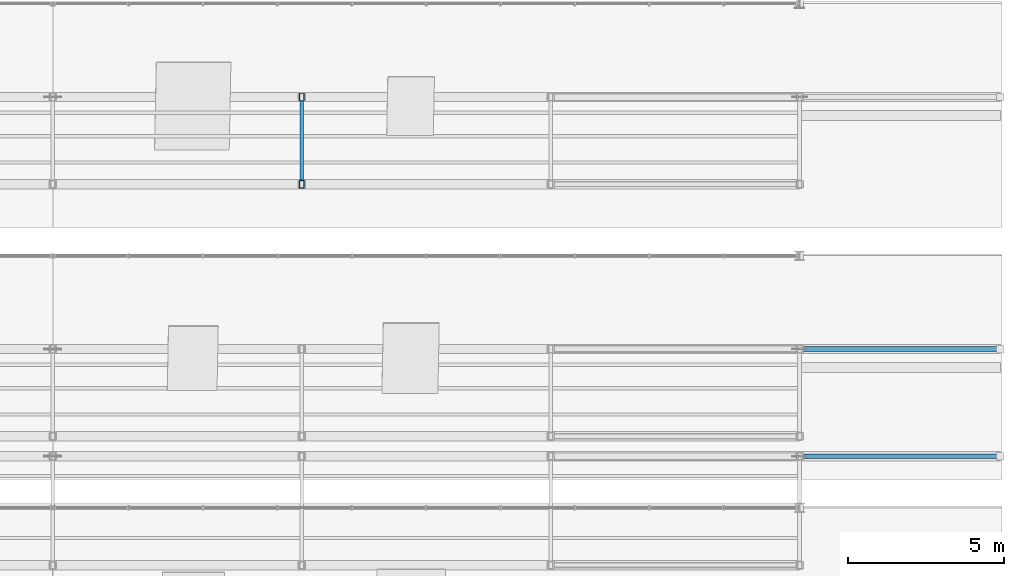
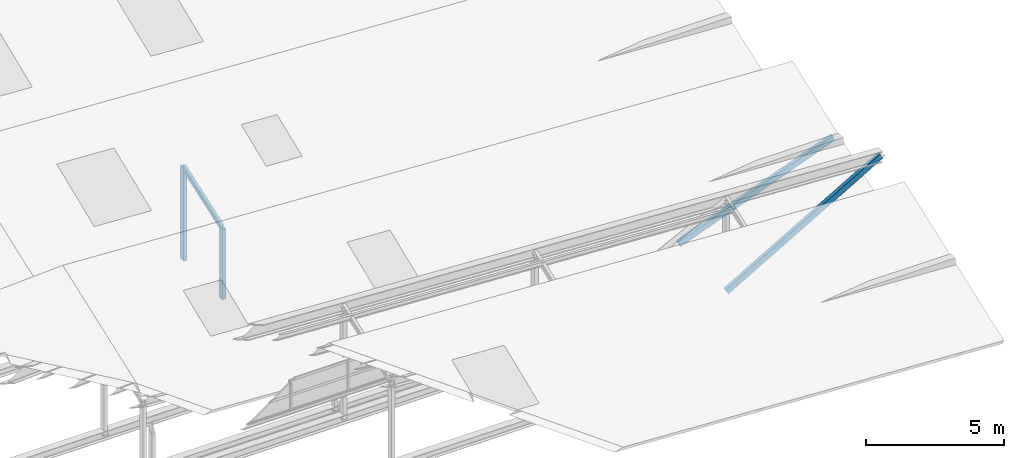
# One storey, part 59 of 141: 5 members.
"""IFC4 building model written with IfcOpenShell, lengths in metres."""

from ifc_helpers import new_model, si_unit, direction, frame, origin, origin_2d, place, context, subcontext, project, spatial, hollow_rectangle, i_section, extrude, material, material_profile, profile_set, type_object, element, save


model = new_model("IFC4")

# Units and contexts
model_context = context("Model", 3, precision=1e-05, world=origin(), true_north=direction((0.0, 1.0)))
body_context = subcontext(model_context, "Body", "Model", "MODEL_VIEW")
ifc_project = project(units=[si_unit("LENGTHUNIT", "METRE"), si_unit("AREAUNIT", "SQUARE_METRE"), si_unit("VOLUMEUNIT", "CUBIC_METRE"), si_unit("PLANEANGLEUNIT", "RADIAN"), si_unit("MASSUNIT", "GRAM", prefix="KILO")], contexts=[model_context])

# Site, building, storey
site_placement = place(None, origin())
site = spatial("IfcSite", under=ifc_project, at=site_placement, CompositionType="ELEMENT")
building_placement = place(site_placement, origin())
building = spatial("IfcBuilding", under=site, at=building_placement, Name="Sundkrona Museum", CompositionType="ELEMENT")
storey_placement = place(building_placement, frame((0.0, 0.0, 34.0)))
storey = spatial("IfcBuildingStorey", under=building, at=storey_placement, Name="RF", CompositionType="ELEMENT", Elevation=34.0)

# Members
ifc_material = material(Name="Steel S355J2", Category="steel")
ifc_material_profile_1 = material_profile(ifc_material, i_section(OverallWidth=0.1201171875, OverallDepth=0.239990234375, WebThickness=0.006103515625, FlangeThickness=0.009765625, FilletRadius=0.014892578125, at=origin_2d()), Name="IPE 240")
ifc_profile_set_1 = profile_set([ifc_material_profile_1], Name="Steel S355J2")
member_type_1 = type_object("IfcMemberType", Name="PR-IPE240", PredefinedType="PURLIN", material=ifc_profile_set_1)
member_1_placement = place(storey_placement, frame((152.0, 12.60009765625, 2.842529296875), z_axis=(0.0, 0.942745736025, 0.333512334414), x_axis=(-1.0, 0.0, 0.0)))
element("IfcMember", 1, at=member_1_placement, inside=storey, type_object=member_type_1, Name="RFS-1 Sawtooth Bay 3 Transverse Rafter 5", PredefinedType="PURLIN", context=body_context, shape_type="SweptSolid", body=[
    extrude(i_section(OverallWidth=0.1201171875, OverallDepth=0.239990234375, WebThickness=0.006103515625, FlangeThickness=0.009765625, FilletRadius=0.014892578125, at=origin_2d()), origin(), (0.0, 0.0, 1.0), 2.9697265625),
])
ifc_material_profile_2 = material_profile(ifc_material, hollow_rectangle(XDim=0.14990234375, YDim=0.25, WallThickness=0.010009765625, at=origin_2d()), Name="RHS 250x150x10.0")
ifc_profile_set_2 = profile_set([ifc_material_profile_2], Name="Steel S355J2")
member_type_2 = type_object("IfcMemberType", Name="ST-RHS250", PredefinedType="STRUT", material=ifc_profile_set_2)
member_2_placement = place(storey_placement, frame((168.0, 3.85009765625, -0.25), z_axis=(0.865088313315, 0.0, 0.501619587103), x_axis=(0.0, 1.0, 0.0)))
element("IfcMember", 2, at=member_2_placement, inside=storey, type_object=member_type_2, Name="RFS-1 Sawtooth Truss 1 East Knee Strut", PredefinedType="STRUT", context=body_context, shape_type="SweptSolid", body=[
    extrude(hollow_rectangle(XDim=0.14990234375, YDim=0.25, WallThickness=0.010009765625, at=origin_2d()), origin(), (0.0, 0.0, 1.0), 7.455810546875),
])
member_3_placement = place(storey_placement, frame((168.0, 7.300048828125, -0.25), z_axis=(0.934903617241, 0.0, 0.354901713816), x_axis=(0.0, 1.0, 0.0)))
element("IfcMember", 3, at=member_3_placement, inside=storey, type_object=member_type_2, Name="RFS-1 Sawtooth Truss 2 East Knee Strut", PredefinedType="STRUT", context=body_context, shape_type="SweptSolid", body=[
    extrude(hollow_rectangle(XDim=0.14990234375, YDim=0.25, WallThickness=0.010009765625, at=origin_2d()), origin(), (0.0, 0.0, 1.0), 6.899169921875),
])
member_4_placement = place(storey_placement, frame((152.0, 15.39990234375, -0.25), z_axis=(0.0, 0.0, 1.0), x_axis=(1.0, 0.0, 0.0)))
element("IfcMember", 4, at=member_4_placement, inside=storey, type_object=member_type_2, Name="RFS-1 Sawtooth Truss 3 Vertical Post 5", PredefinedType="STRUT", context=body_context, shape_type="SweptSolid", body=[
    extrude(hollow_rectangle(XDim=0.14990234375, YDim=0.25, WallThickness=0.010009765625, at=origin_2d()), origin(), (0.0, 0.0, 1.0), 4.0830078125),
])
member_5_placement = place(storey_placement, frame((152.0, 12.60009765625, -0.25), z_axis=(0.0, 0.0, 1.0), x_axis=(1.0, 0.0, 0.0)))
element("IfcMember", 5, at=member_5_placement, inside=storey, type_object=member_type_2, Name="RFS-1 Sawtooth Bay 3 Valley Post 5", PredefinedType="STRUT", context=body_context, shape_type="SweptSolid", body=[
    extrude(hollow_rectangle(XDim=0.14990234375, YDim=0.25, WallThickness=0.010009765625, at=origin_2d()), origin(), (0.0, 0.0, 1.0), 3.092529296875),
])

save(model, "model.ifc")
